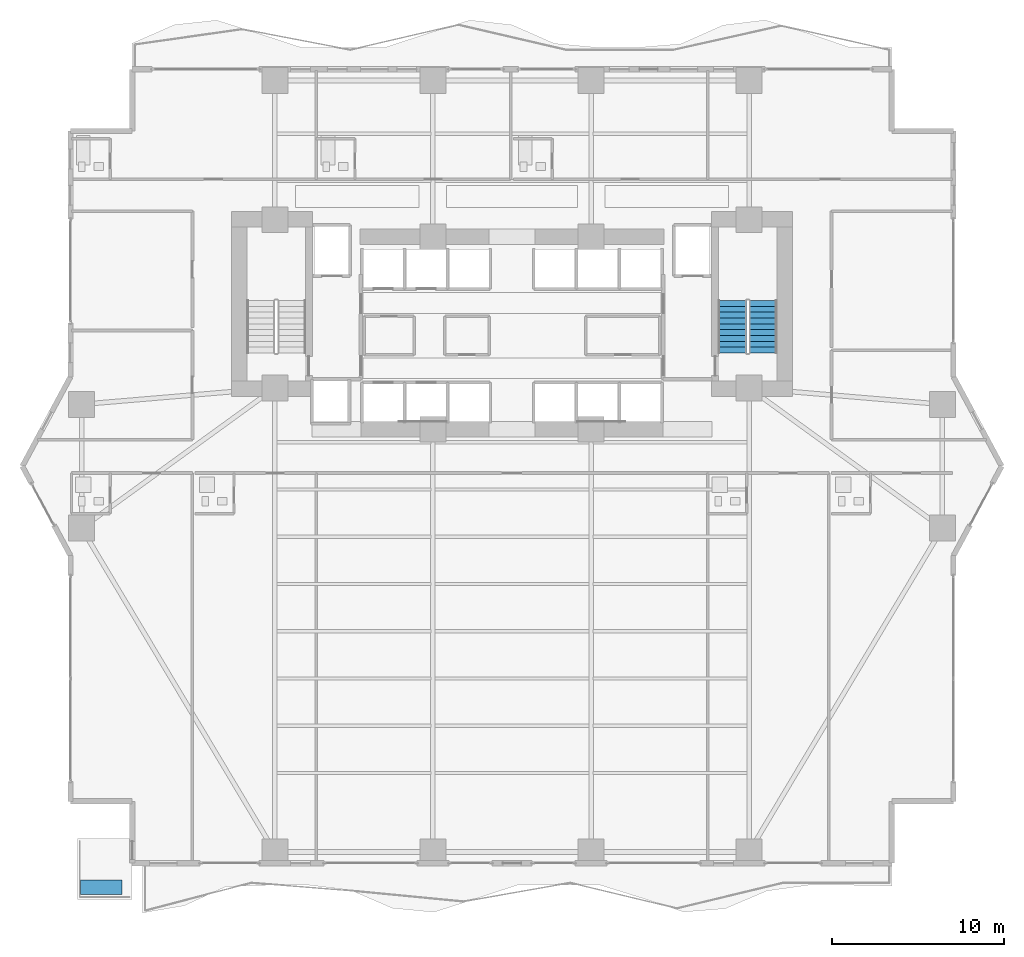
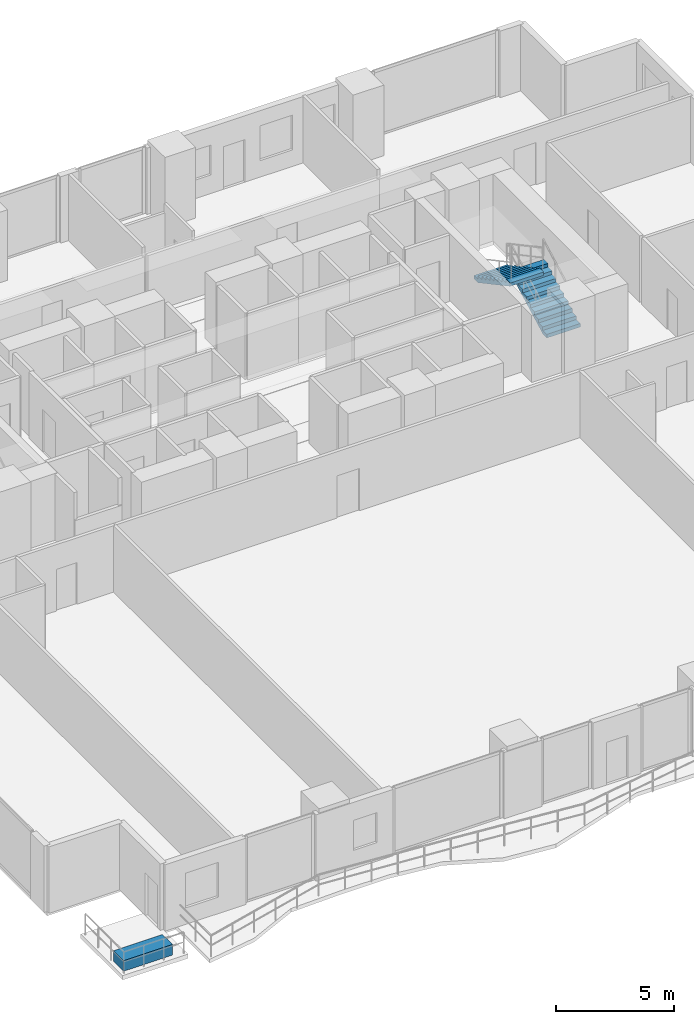
# One storey, part 23 of 28: 2 stair flights, 1 building element part, 1 element without a shape of its own.
"""IFC4 building model written with IfcOpenShell, lengths in metres."""

from ifc_helpers import new_model, si_unit, direction, frame, origin, origin_2d, place, context, subcontext, project, spatial, polyline, rectangle, outline, extrude, material, layer, layer_set, type_object, element, aggregate, save


model = new_model("IFC4")

# Units and contexts
model_context = context("Model", 3, precision=1e-05, world=origin(), true_north=direction((0.0, 1.0)))
body_context = subcontext(model_context, "Body", "Model", "MODEL_VIEW")
ifc_project = project(units=[si_unit("LENGTHUNIT", "METRE"), si_unit("AREAUNIT", "SQUARE_METRE"), si_unit("VOLUMEUNIT", "CUBIC_METRE"), si_unit("PLANEANGLEUNIT", "RADIAN"), si_unit("MASSUNIT", "GRAM", prefix="KILO")], contexts=[model_context])

# Site, building, storey
site_placement = place(None, origin())
site = spatial("IfcSite", under=ifc_project, at=site_placement, CompositionType="ELEMENT")
building_placement = place(site_placement, origin())
building = spatial("IfcBuilding", under=site, at=building_placement, Name="Zuhayl Quay Hotel", CompositionType="ELEMENT")
storey_placement = place(building_placement, frame((0.0, 0.0, 71.39990234375)))
storey = spatial("IfcBuildingStorey", under=building, at=storey_placement, Name="L17", CompositionType="ELEMENT", Elevation=71.39990234375)

# Stair, stair flights
ifc_material_1 = material(Name="Concrete C45/55", Category="concrete")
stair_type = type_object("IfcStairType", Name="ST_DOGLEG_TOWER", PredefinedType="HALF_TURN_STAIR", material=ifc_material_1)
stair_placement = place(storey_placement, origin())
stair = element("IfcStair", 1, at=stair_placement, inside=storey, type_object=stair_type, Name="L17 Smokeproof Exit Stair ST2", PredefinedType="HALF_TURN_STAIR")
ifc_layer_1 = layer(ifc_material_1, 0.159912109375, Name="Concrete C45/55", Category="concrete")
ifc_layer_set_1 = layer_set([ifc_layer_1], Name="Concrete C45/55")
stair_flight_type = type_object("IfcStairFlightType", Name="SF_CONC_164", PredefinedType="STRAIGHT", material=ifc_layer_set_1)
stair_flight_1_placement = place(storey_placement, frame((14.610107421875, 6.590087890625, 0.0), z_axis=(0.0, 0.0, 1.0), x_axis=(0.0, 1.0, 0.0)))
stair_flight_1 = element("IfcStairFlight", 2, at=stair_flight_1_placement, type_object=stair_flight_type, Name="ST2 flight 1", NumberOfRisers=10, NumberOfTreads=9, PredefinedType="STRAIGHT", RiserHeight=0.1825, TreadLength=0.34, context=body_context, shape_type="SweptSolid", body=[
    extrude(outline(polyline([(0.0, 0.0), (0.0, 0.1826171875), (0.340087890625, 0.1826171875), (0.340087890625, 0.364990234375), (0.679931640625, 0.364990234375), (0.679931640625, 0.547607421875), (1.02001953125, 0.547607421875), (1.02001953125, 0.72998046875), (1.360107421875, 0.72998046875), (1.360107421875, 0.91259765625), (1.699951171875, 0.91259765625), (1.699951171875, 1.094970703125), (2.0400390625, 1.094970703125), (2.0400390625, 1.277587890625), (2.3798828125, 1.277587890625), (2.3798828125, 1.4599609375), (2.719970703125, 1.4599609375), (2.719970703125, 1.642578125), (3.06005859375, 1.642578125), (3.06005859375, 1.824951171875), (3.06005859375, 1.472412109375), (0.31689453125, 0.0), (0.0, 0.0)])), frame((0.0, 0.81982421875, 0.0), z_axis=(0.0, -1.0, 0.0), x_axis=(1.0, 0.0, 0.0)), (0.0, 0.0, 1.0), 1.639892578125),
])
stair_flight_2_placement = place(storey_placement, frame((12.820068359375, 9.64990234375, 1.8251953125), z_axis=(0.0, 0.0, 1.0), x_axis=(0.0, -1.0, 0.0)))
stair_flight_2 = element("IfcStairFlight", 3, at=stair_flight_2_placement, type_object=stair_flight_type, Name="ST2 flight 2", NumberOfRisers=10, NumberOfTreads=9, PredefinedType="STRAIGHT", RiserHeight=0.1825, TreadLength=0.34, context=body_context, shape_type="SweptSolid", body=[
    extrude(outline(polyline([(0.0, 0.0), (0.0, 0.1826171875), (0.340087890625, 0.1826171875), (0.340087890625, 0.364990234375), (0.679931640625, 0.364990234375), (0.679931640625, 0.547607421875), (1.02001953125, 0.547607421875), (1.02001953125, 0.72998046875), (1.360107421875, 0.72998046875), (1.360107421875, 0.91259765625), (1.699951171875, 0.91259765625), (1.699951171875, 1.094970703125), (2.0400390625, 1.094970703125), (2.0400390625, 1.277587890625), (2.3798828125, 1.277587890625), (2.3798828125, 1.4599609375), (2.719970703125, 1.4599609375), (2.719970703125, 1.642578125), (3.06005859375, 1.642578125), (3.06005859375, 1.824951171875), (3.06005859375, 1.472412109375), (0.31689453125, 0.0), (0.0, 0.0)])), frame((0.0, 0.81982421875, 0.0), z_axis=(0.0, -1.0, 0.0), x_axis=(1.0, 0.0, 0.0)), (0.0, 0.0, 1.0), 1.639892578125),
])
aggregate(stair, [stair_flight_1, stair_flight_2])

# Building element part
ifc_material_2 = material(Name="Precast concrete C45/55", Category="concrete")
ifc_layer_2 = layer(ifc_material_2, 0.550048828125, Name="Precast concrete C45/55", Category="concrete")
ifc_layer_set_2 = layer_set([ifc_layer_2], Name="Precast concrete C45/55")
building_element_part_type = type_object("IfcBuildingElementPartType", Name="PT_PLANTER_KERB", PredefinedType="PRECASTPANEL", material=ifc_layer_set_2)
building_element_part_placement = place(storey_placement, frame((-23.909912109375, -24.510009765625, 0.0), z_axis=(0.0, 0.0, 1.0), x_axis=(1.0, 0.0, 0.0)))
element("IfcBuildingElementPart", 4, at=building_element_part_placement, inside=storey, type_object=building_element_part_type, Name="L17 Spiral Sky-Terrace Planter Box SW", PredefinedType="PRECASTPANEL", context=body_context, shape_type="SweptSolid", body=[
    extrude(rectangle(XDim=2.39990234375, YDim=0.85009765625, at=origin_2d()), origin(), (0.0, 0.0, 1.0), 0.550048828125),
])

save(model, "model.ifc")
